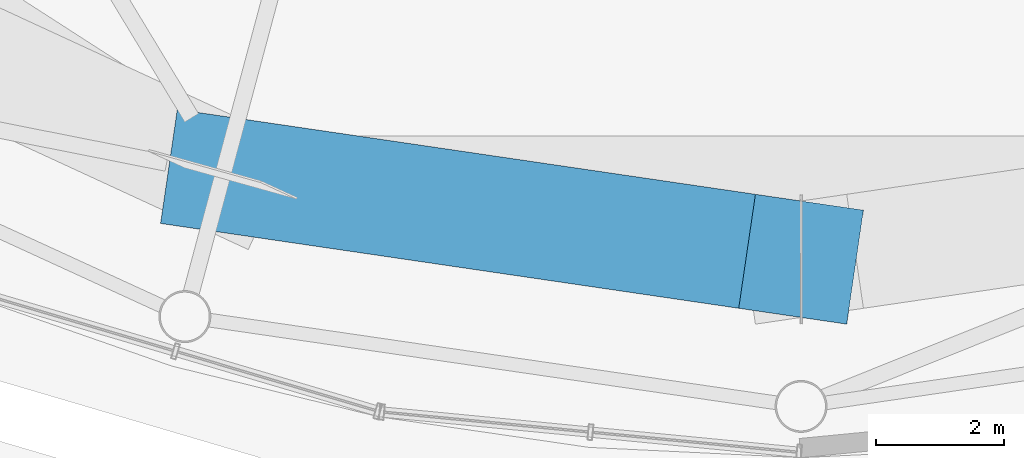
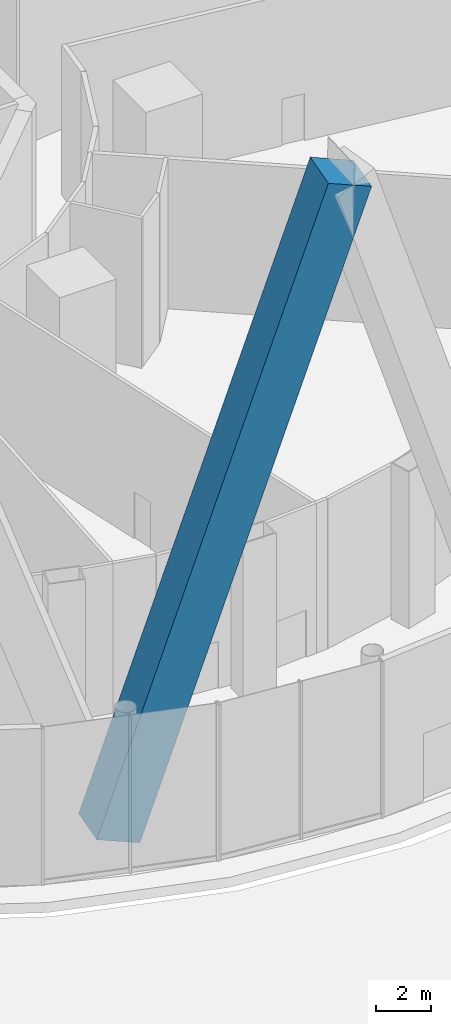
# One storey, part 13 of 67: 1 member.
"""IFC4 building model written with IfcOpenShell, lengths in metres."""

from ifc_helpers import new_model, si_unit, direction, frame, origin, origin_2d, place, context, subcontext, project, spatial, rectangle, extrude, material, material_profile, profile_set, type_object, element, save


model = new_model("IFC4")

# Units and contexts
model_context = context("Model", 3, precision=1e-05, world=origin(), true_north=direction((0.0, 1.0)))
body_context = subcontext(model_context, "Body", "Model", "MODEL_VIEW")
ifc_project = project(units=[si_unit("LENGTHUNIT", "METRE"), si_unit("AREAUNIT", "SQUARE_METRE"), si_unit("VOLUMEUNIT", "CUBIC_METRE"), si_unit("PLANEANGLEUNIT", "RADIAN"), si_unit("MASSUNIT", "GRAM", prefix="KILO")], contexts=[model_context])

# Site, building, storey
site_placement = place(None, origin())
site = spatial("IfcSite", under=ifc_project, at=site_placement, CompositionType="ELEMENT")
building_placement = place(site_placement, origin())
building = spatial("IfcBuilding", under=site, at=building_placement, Name="Nagisa Residences", CompositionType="ELEMENT")
storey_placement = place(building_placement, origin())
storey = spatial("IfcBuildingStorey", under=building, at=storey_placement, Name="L00", CompositionType="ELEMENT", Elevation=0.0)

# Member
ifc_material = material(Name="Concrete C80", Category="concrete")
ifc_material_profile = material_profile(ifc_material, rectangle(XDim=1.800048828125, YDim=1.800048828125, at=origin_2d()), Name="C80 1800x1800")
ifc_profile_set = profile_set([ifc_material_profile], Name="Concrete C80")
member_type = type_object("IfcMemberType", Name="Cage diagonal 1 C80 1800x1800", PredefinedType="BRACE", material=ifc_profile_set)
member_placement = place(storey_placement, frame((-5.432861328125, -37.574462890625, 0.0), z_axis=(0.31692619877, -0.046503752348, 0.947309445509), x_axis=(0.145179109263, 0.989405390239, 0.0)))
element("IfcMember", 1, at=member_placement, inside=storey, type_object=member_type, Name="mem:L00:cg1d018", PredefinedType="BRACE", context=body_context, shape_type="SweptSolid", body=[
    extrude(rectangle(XDim=1.800048828125, YDim=1.800048828125, at=origin_2d()), origin(), (0.0, 0.0, 1.0), 28.501708984375),
])

save(model, "model.ifc")
